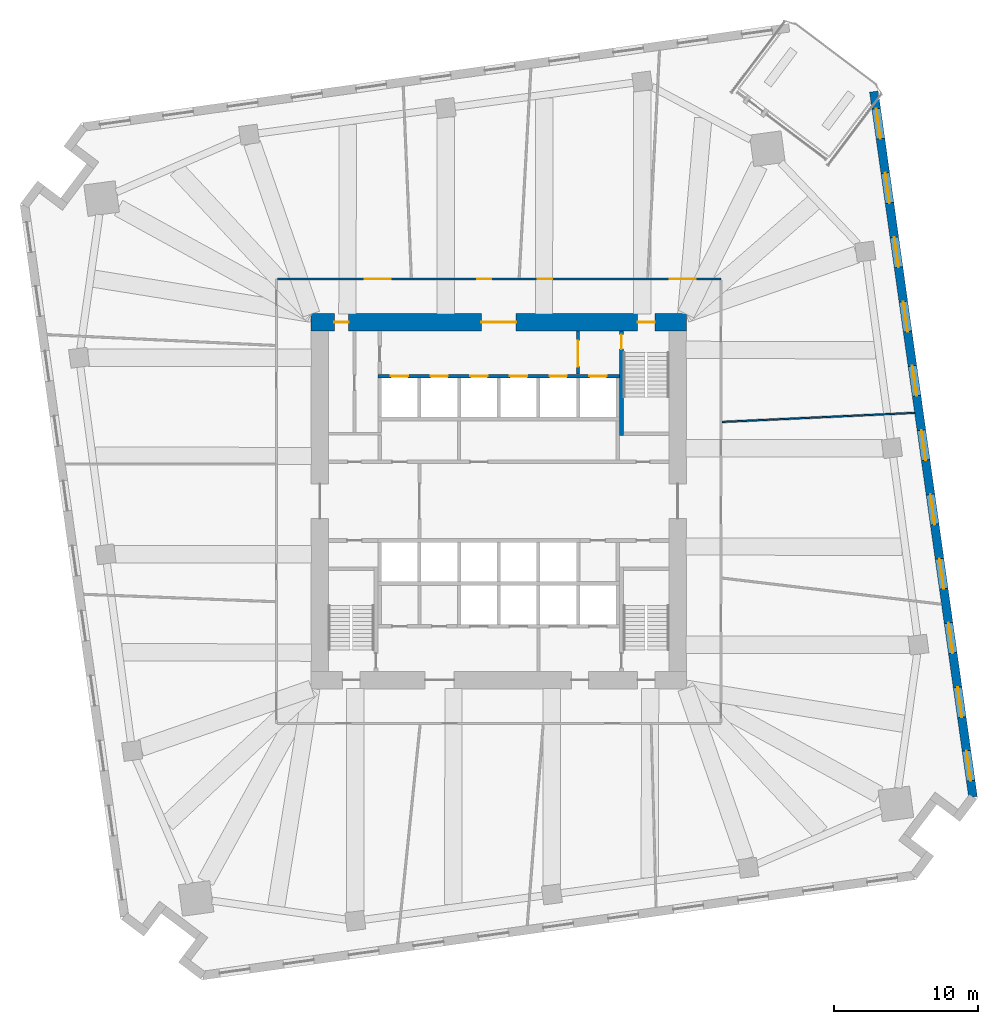
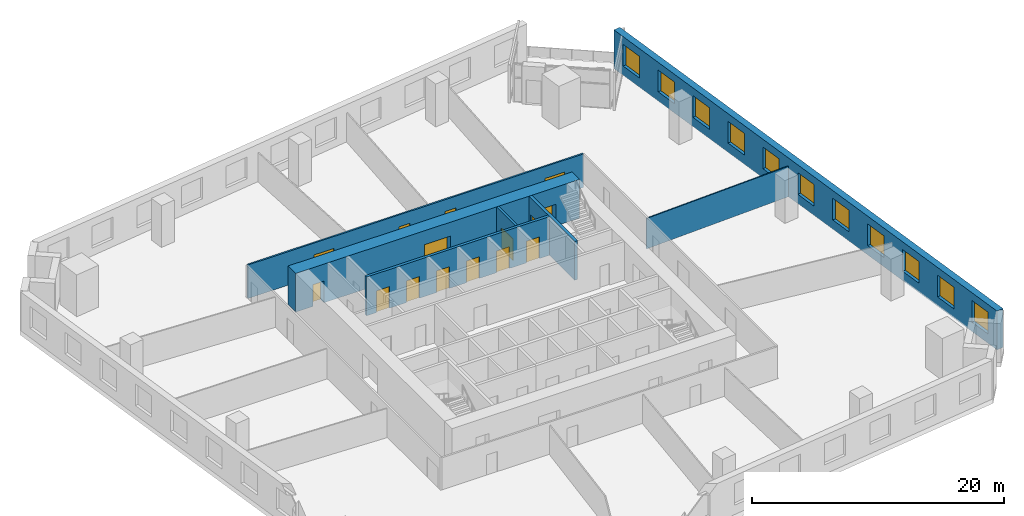
# One storey, part 9 of 12: 15 doors, 11 windows, 7 walls, 26 openings.
"""IFC4 building model written with IfcOpenShell, lengths in metres."""

from ifc_helpers import new_model, si_unit, direction, frame, frame_2d, origin, place, context, subcontext, project, spatial, rectangle, extrude, material, layer, layer_set, type_object, element, fill, save


model = new_model("IFC4")

# Units and contexts
model_context = context("Model", 3, precision=1e-05, world=origin(), true_north=direction((0.0, 1.0)))
body_context = subcontext(model_context, "Body", "Model", "MODEL_VIEW")
ifc_project = project(units=[si_unit("LENGTHUNIT", "METRE"), si_unit("AREAUNIT", "SQUARE_METRE"), si_unit("VOLUMEUNIT", "CUBIC_METRE"), si_unit("PLANEANGLEUNIT", "RADIAN"), si_unit("MASSUNIT", "GRAM", prefix="KILO")], contexts=[model_context])

# Site, building, storey
site_placement = place(None, origin())
site = spatial("IfcSite", under=ifc_project, at=site_placement, CompositionType="ELEMENT")
building_placement = place(site_placement, origin())
building = spatial("IfcBuilding", under=site, at=building_placement, Name="Dilmun Exchange Tower", CompositionType="ELEMENT")
storey_placement = place(building_placement, frame((0.0, 0.0, 51.300048828125)))
storey = spatial("IfcBuildingStorey", under=building, at=storey_placement, Name="L11", CompositionType="ELEMENT", Elevation=51.300048828125)

# Wall, opening, door
ifc_material_1 = material(Name="Concrete C40/50", Category="concrete")
ifc_layer_1 = layer(ifc_material_1, 0.199951171875)
ifc_layer_set_1 = layer_set([ifc_layer_1], Name="Concrete C40/50")
wall_type_1 = type_object("IfcWallType", Name="Core partition wall 200", PredefinedType="PARTITIONING", material=ifc_layer_set_1)
wall_1_placement = place(storey_placement, frame((5.5, 8.804931640625, 0.0), z_axis=(0.0, 0.0, 1.0), x_axis=(0.0, 1.0, 0.0)))
wall_1 = element("IfcWall", 1, at=wall_1_placement, inside=storey, type_object=wall_type_1, Name="L11 core partition wall 17", PredefinedType="PARTITIONING", context=body_context, shape_type="SweptSolid", body=[
    extrude(rectangle(XDim=2.989990234375, YDim=0.199951171875, at=frame_2d((1.4951171875, 0.0))), origin(), (0.0, 0.0, 1.0), 3.75),
])
opening_1_placement = place(wall_1_placement, frame((0.532470703125, 0.0, 0.0)))
opening_1 = element("IfcOpeningElement", 2, at=opening_1_placement, cuts=wall_1, Name="Opening CD5", PredefinedType="OPENING", context=body_context, shape_type="SweptSolid", body=[
    extrude(rectangle(XDim=1.800048828125, YDim=2.10009765625, at=frame_2d((0.89990234375, 1.050048828125))), frame((0.0, 0.10986328125, 0.0), z_axis=(0.0, -1.0, 0.0), x_axis=(1.0, 0.0, 0.0)), (0.0, 0.0, 1.0), 0.219970703125),
])
ifc_material_2 = material(Name="Fire-rated steel door set", Category="steel")
door_type_1 = type_object("IfcDoorType", Name="Stair exit door 1800x2100", OperationType="SINGLE_SWING_LEFT", PredefinedType="DOOR", material=ifc_material_2)
door_1_placement = place(opening_1_placement, origin())
door_1 = element("IfcDoor", 3, at=door_1_placement, inside=storey, type_object=door_type_1, Name="L11 door Lift lobby east", OperationType="SINGLE_SWING_LEFT", OverallHeight=2.10009765625, OverallWidth=1.800048828125, PredefinedType="DOOR", context=body_context, shape_type="SweptSolid", body=[
    extrude(rectangle(XDim=1.800048828125, YDim=2.10009765625, at=frame_2d((0.89990234375, 1.050048828125))), frame((0.0, 0.02490234375, 0.0), z_axis=(0.0, -1.0, 0.0), x_axis=(1.0, 0.0, 0.0)), (0.0, 0.0, 1.0), 0.050048828125),
])
fill(opening_1, door_1)

# Wall, openings, doors
ifc_material_3 = material(Name="Concrete C80/95", Category="concrete")
ifc_layer_2 = layer(ifc_material_3, 1.199951171875)
ifc_layer_set_2 = layer_set([ifc_layer_2], Name="Concrete C80/95")
wall_type_2 = type_object("IfcWallType", Name="Core shear wall 1200 Concrete C80/95", PredefinedType="SHEAR", material=ifc_layer_set_2)
wall_2_placement = place(storey_placement, frame((-13.0, 12.39990234375, 0.0), z_axis=(0.0, 0.0, 1.0), x_axis=(1.0, 0.0, 0.0)))
wall_2 = element("IfcWall", 4, at=wall_2_placement, inside=storey, type_object=wall_type_2, Name="L11 core shear wall N", PredefinedType="SHEAR", context=body_context, shape_type="SweptSolid", body=[
    extrude(rectangle(XDim=26.0, YDim=1.199951171875, at=frame_2d((13.0, 0.0))), origin(), (0.0, 0.0, 1.0), 3.75),
])
opening_2_placement = place(wall_2_placement, frame((11.800048828125, 0.0, 0.0)))
opening_2 = element("IfcOpeningElement", 5, at=opening_2_placement, cuts=wall_2, Name="Opening CD1", PredefinedType="OPENING", context=body_context, shape_type="SweptSolid", body=[
    extrude(rectangle(XDim=2.39990234375, YDim=2.39990234375, at=frame_2d((1.199951171875, 1.199951171875))), frame((0.0, 0.60986328125, 0.0), z_axis=(0.0, -1.0, 0.0), x_axis=(1.0, 0.0, 0.0)), (0.0, 0.0, 1.0), 1.219970703125),
])
opening_3_placement = place(wall_2_placement, frame((22.625, 0.0, 0.0)))
opening_3 = element("IfcOpeningElement", 6, at=opening_3_placement, cuts=wall_2, Name="Opening CD3", PredefinedType="OPENING", context=body_context, shape_type="SweptSolid", body=[
    extrude(rectangle(XDim=1.199951171875, YDim=2.10009765625, at=frame_2d((0.60009765625, 1.050048828125))), frame((0.0, 0.60986328125, 0.0), z_axis=(0.0, -1.0, 0.0), x_axis=(1.0, 0.0, 0.0)), (0.0, 0.0, 1.0), 1.219970703125),
])
opening_4_placement = place(wall_2_placement, frame((1.60009765625, 0.0, 0.0)))
opening_4 = element("IfcOpeningElement", 7, at=opening_4_placement, cuts=wall_2, Name="Opening CD4", PredefinedType="OPENING", context=body_context, shape_type="SweptSolid", body=[
    extrude(rectangle(XDim=1.0, YDim=2.10009765625, at=frame_2d((0.5, 1.050048828125))), frame((0.0, 0.60986328125, 0.0), z_axis=(0.0, -1.0, 0.0), x_axis=(1.0, 0.0, 0.0)), (0.0, 0.0, 1.0), 1.219970703125),
])
door_type_2 = type_object("IfcDoorType", Name="Core lobby door 2400x2400", OperationType="DOUBLE_DOOR_DOUBLE_SWING", PredefinedType="DOOR", material=ifc_material_2)
door_2_placement = place(opening_2_placement, origin())
door_2 = element("IfcDoor", 8, at=door_2_placement, inside=storey, type_object=door_type_2, Name="L11 door North lift lobby", OperationType="SINGLE_SWING_LEFT", OverallHeight=2.39990234375, OverallWidth=2.39990234375, PredefinedType="DOOR", context=body_context, shape_type="SweptSolid", body=[
    extrude(rectangle(XDim=2.39990234375, YDim=2.39990234375, at=frame_2d((1.199951171875, 1.199951171875))), frame((0.0, 0.02490234375, 0.0), z_axis=(0.0, -1.0, 0.0), x_axis=(1.0, 0.0, 0.0)), (0.0, 0.0, 1.0), 0.050048828125),
])
fill(opening_2, door_2)
door_type_3 = type_object("IfcDoorType", Name="Core room door 1000x2100", OperationType="SINGLE_SWING_LEFT", PredefinedType="DOOR", material=ifc_material_2)
door_3_placement = place(opening_4_placement, origin())
door_3 = element("IfcDoor", 9, at=door_3_placement, inside=storey, type_object=door_type_3, Name="L11 door North-west core rooms", OperationType="SINGLE_SWING_LEFT", OverallHeight=2.10009765625, OverallWidth=1.0, PredefinedType="DOOR", context=body_context, shape_type="SweptSolid", body=[
    extrude(rectangle(XDim=1.0, YDim=2.10009765625, at=frame_2d((0.5, 1.050048828125))), frame((0.0, 0.02490234375, 0.0), z_axis=(0.0, -1.0, 0.0), x_axis=(1.0, 0.0, 0.0)), (0.0, 0.0, 1.0), 0.050048828125),
])
fill(opening_4, door_3)
door_type_4 = type_object("IfcDoorType", Name="Stair exit door 1200x2100", OperationType="SINGLE_SWING_LEFT", PredefinedType="DOOR", material=ifc_material_2)
door_4_placement = place(opening_3_placement, origin())
door_4 = element("IfcDoor", 10, at=door_4_placement, inside=storey, type_object=door_type_4, Name="L11 door Stair ST1", OperationType="SINGLE_SWING_LEFT", OverallHeight=2.10009765625, OverallWidth=1.199951171875, PredefinedType="DOOR", context=body_context, shape_type="SweptSolid", body=[
    extrude(rectangle(XDim=1.199951171875, YDim=2.10009765625, at=frame_2d((0.60009765625, 1.050048828125))), frame((0.0, 0.02490234375, 0.0), z_axis=(0.0, -1.0, 0.0), x_axis=(1.0, 0.0, 0.0)), (0.0, 0.0, 1.0), 0.050048828125),
])
fill(opening_3, door_4)

ifc_material_4 = material(Name="Corridor wall 150")
ifc_layer_3 = layer(ifc_material_4, 0.14990234375)
ifc_layer_set_3 = layer_set([ifc_layer_3], Name="Corridor wall 150")
wall_type_3 = type_object("IfcWallType", Name="Corridor wall 150", PredefinedType="PARTITIONING", material=ifc_layer_set_3)
wall_3_placement = place(storey_placement, frame((-15.324951171875, 15.39990234375, 0.0), z_axis=(0.0, 0.0, 1.0), x_axis=(1.0, 0.0, 0.0)))
wall_3 = element("IfcWall", 11, at=wall_3_placement, inside=storey, type_object=wall_type_3, Name="Corridor wall", PredefinedType="PARTITIONING", context=body_context, shape_type="SweptSolid", body=[
    extrude(rectangle(XDim=30.724853515625, YDim=0.14990234375, at=frame_2d((15.3623046875, 0.0))), origin(), (0.0, 0.0, 1.0), 3.25),
])
opening_5_placement = place(wall_3_placement, frame((6.050048828125, 0.0, 0.0)))
opening_5 = element("IfcOpeningElement", 12, at=opening_5_placement, cuts=wall_3, Name="Opening TF11-D03", PredefinedType="OPENING", context=body_context, shape_type="SweptSolid", body=[
    extrude(rectangle(XDim=1.800048828125, YDim=2.10009765625, at=frame_2d((0.89990234375, 1.050048828125))), frame((0.0, 0.0849609375, 0.0), z_axis=(0.0, -1.0, 0.0), x_axis=(1.0, 0.0, 0.0)), (0.0, 0.0, 1.0), 0.169921875),
])
opening_6_placement = place(wall_3_placement, frame((13.81640625, 0.0, 0.0)))
opening_6 = element("IfcOpeningElement", 13, at=opening_6_placement, cuts=wall_3, Name="Opening TF11-D07", PredefinedType="OPENING", context=body_context, shape_type="SweptSolid", body=[
    extrude(rectangle(XDim=1.0, YDim=2.10009765625, at=frame_2d((0.5, 1.050048828125))), frame((0.0, 0.0849609375, 0.0), z_axis=(0.0, -1.0, 0.0), x_axis=(1.0, 0.0, 0.0)), (0.0, 0.0, 1.0), 0.169921875),
])
opening_7_placement = place(wall_3_placement, frame((18.0341796875, 0.0, 0.0)))
opening_7 = element("IfcOpeningElement", 14, at=opening_7_placement, cuts=wall_3, Name="Opening TF11-D09", PredefinedType="OPENING", context=body_context, shape_type="SweptSolid", body=[
    extrude(rectangle(XDim=1.0, YDim=2.10009765625, at=frame_2d((0.5, 1.050048828125))), frame((0.0, 0.0849609375, 0.0), z_axis=(0.0, -1.0, 0.0), x_axis=(1.0, 0.0, 0.0)), (0.0, 0.0, 1.0), 0.169921875),
])
opening_8_placement = place(wall_3_placement, frame((27.192626953125, 0.0, 0.0)))
opening_8 = element("IfcOpeningElement", 15, at=opening_8_placement, cuts=wall_3, Name="Opening TF11-D11", PredefinedType="OPENING", context=body_context, shape_type="SweptSolid", body=[
    extrude(rectangle(XDim=1.800048828125, YDim=2.10009765625, at=frame_2d((0.89990234375, 1.050048828125))), frame((0.0, 0.0849609375, 0.0), z_axis=(0.0, -1.0, 0.0), x_axis=(1.0, 0.0, 0.0)), (0.0, 0.0, 1.0), 0.169921875),
])
ifc_material_5 = material(Name="Fire door 1000 x 2100")
door_type_5 = type_object("IfcDoorType", Name="Fire door 1000 x 2100", OperationType="NOTDEFINED", PredefinedType="DOOR", material=ifc_material_5)
door_5_placement = place(opening_6_placement, origin())
door_5 = element("IfcDoor", 16, at=door_5_placement, inside=storey, type_object=door_type_5, Name="Door TF11-D07", OperationType="SINGLE_SWING_RIGHT", OverallHeight=2.10009765625, OverallWidth=1.0, PredefinedType="DOOR", context=body_context, shape_type="SweptSolid", body=[
    extrude(rectangle(XDim=1.0, YDim=2.10009765625, at=frame_2d((0.5, 1.050048828125))), frame((0.0, 0.02490234375, 0.0), z_axis=(0.0, -1.0, 0.0), x_axis=(1.0, 0.0, 0.0)), (0.0, 0.0, 1.0), 0.050048828125),
])
fill(opening_6, door_5)
door_6_placement = place(opening_7_placement, origin())
door_6 = element("IfcDoor", 17, at=door_6_placement, inside=storey, type_object=door_type_5, Name="Door TF11-D09", OperationType="SINGLE_SWING_LEFT", OverallHeight=2.10009765625, OverallWidth=1.0, PredefinedType="DOOR", context=body_context, shape_type="SweptSolid", body=[
    extrude(rectangle(XDim=1.0, YDim=2.10009765625, at=frame_2d((0.5, 1.050048828125))), frame((0.0, 0.02490234375, 0.0), z_axis=(0.0, -1.0, 0.0), x_axis=(1.0, 0.0, 0.0)), (0.0, 0.0, 1.0), 0.050048828125),
])
fill(opening_7, door_6)
ifc_material_6 = material(Name="Fire door pair 1800 x 2100")
door_type_6 = type_object("IfcDoorType", Name="Fire door pair 1800 x 2100", OperationType="NOTDEFINED", PredefinedType="DOOR", material=ifc_material_6)
door_7_placement = place(opening_5_placement, origin())
door_7 = element("IfcDoor", 18, at=door_7_placement, inside=storey, type_object=door_type_6, Name="Door TF11-D03", OperationType="DOUBLE_DOOR_SINGLE_SWING", OverallHeight=2.10009765625, OverallWidth=1.800048828125, PredefinedType="DOOR", context=body_context, shape_type="SweptSolid", body=[
    extrude(rectangle(XDim=1.800048828125, YDim=2.10009765625, at=frame_2d((0.89990234375, 1.050048828125))), frame((0.0, 0.02490234375, 0.0), z_axis=(0.0, -1.0, 0.0), x_axis=(1.0, 0.0, 0.0)), (0.0, 0.0, 1.0), 0.050048828125),
])
fill(opening_5, door_7)
door_8_placement = place(opening_8_placement, origin())
door_8 = element("IfcDoor", 19, at=door_8_placement, inside=storey, type_object=door_type_6, Name="Door TF11-D11", OperationType="DOUBLE_DOOR_SINGLE_SWING", OverallHeight=2.10009765625, OverallWidth=1.800048828125, PredefinedType="DOOR", context=body_context, shape_type="SweptSolid", body=[
    extrude(rectangle(XDim=1.800048828125, YDim=2.10009765625, at=frame_2d((0.89990234375, 1.050048828125))), frame((0.0, 0.02490234375, 0.0), z_axis=(0.0, -1.0, 0.0), x_axis=(1.0, 0.0, 0.0)), (0.0, 0.0, 1.0), 0.050048828125),
])
fill(opening_8, door_8)

ifc_layer_4 = layer(ifc_material_1, 0.25)
ifc_layer_set_4 = layer_set([ifc_layer_4], Name="Concrete C40/50")
wall_type_4 = type_object("IfcWallType", Name="Lift shaft wall 250", PredefinedType="SOLIDWALL", material=ifc_layer_set_4)
wall_4_placement = place(storey_placement, frame((-8.375, 8.675048828125, 0.0), z_axis=(0.0, 0.0, 1.0), x_axis=(1.0, 0.0, 0.0)))
wall_4 = element("IfcWall", 20, at=wall_4_placement, inside=storey, type_object=wall_type_4, Name="L11 lift shaft front wall N2", PredefinedType="SOLIDWALL", context=body_context, shape_type="SweptSolid", body=[
    extrude(rectangle(XDim=16.75, YDim=0.25, at=frame_2d((8.375, 0.0))), origin(), (0.0, 0.0, 1.0), 3.75),
])
opening_9_placement = place(wall_4_placement, frame((0.89990234375, 0.0, 0.0)))
opening_9 = element("IfcOpeningElement", 21, at=opening_9_placement, cuts=wall_4, Name="Opening LD", PredefinedType="OPENING", context=body_context, shape_type="SweptSolid", body=[
    extrude(rectangle(XDim=1.199951171875, YDim=2.10009765625, at=frame_2d((0.60009765625, 1.050048828125))), frame((0.0, 0.135009765625, 0.0), z_axis=(0.0, -1.0, 0.0), x_axis=(1.0, 0.0, 0.0)), (0.0, 0.0, 1.0), 0.27001953125),
])
opening_10_placement = place(wall_4_placement, frame((3.64990234375, 0.0, 0.0)))
opening_10 = element("IfcOpeningElement", 22, at=opening_10_placement, cuts=wall_4, Name="Opening LD", PredefinedType="OPENING", context=body_context, shape_type="SweptSolid", body=[
    extrude(rectangle(XDim=1.199951171875, YDim=2.10009765625, at=frame_2d((0.60009765625, 1.050048828125))), frame((0.0, 0.135009765625, 0.0), z_axis=(0.0, -1.0, 0.0), x_axis=(1.0, 0.0, 0.0)), (0.0, 0.0, 1.0), 0.27001953125),
])
opening_11_placement = place(wall_4_placement, frame((6.39990234375, 0.0, 0.0)))
opening_11 = element("IfcOpeningElement", 23, at=opening_11_placement, cuts=wall_4, Name="Opening LD", PredefinedType="OPENING", context=body_context, shape_type="SweptSolid", body=[
    extrude(rectangle(XDim=1.199951171875, YDim=2.10009765625, at=frame_2d((0.60009765625, 1.050048828125))), frame((0.0, 0.135009765625, 0.0), z_axis=(0.0, -1.0, 0.0), x_axis=(1.0, 0.0, 0.0)), (0.0, 0.0, 1.0), 0.27001953125),
])
opening_12_placement = place(wall_4_placement, frame((9.14990234375, 0.0, 0.0)))
opening_12 = element("IfcOpeningElement", 24, at=opening_12_placement, cuts=wall_4, Name="Opening LD", PredefinedType="OPENING", context=body_context, shape_type="SweptSolid", body=[
    extrude(rectangle(XDim=1.199951171875, YDim=2.10009765625, at=frame_2d((0.60009765625, 1.050048828125))), frame((0.0, 0.135009765625, 0.0), z_axis=(0.0, -1.0, 0.0), x_axis=(1.0, 0.0, 0.0)), (0.0, 0.0, 1.0), 0.27001953125),
])
opening_13_placement = place(wall_4_placement, frame((11.89990234375, 0.0, 0.0)))
opening_13 = element("IfcOpeningElement", 25, at=opening_13_placement, cuts=wall_4, Name="Opening LD", PredefinedType="OPENING", context=body_context, shape_type="SweptSolid", body=[
    extrude(rectangle(XDim=1.199951171875, YDim=2.10009765625, at=frame_2d((0.60009765625, 1.050048828125))), frame((0.0, 0.135009765625, 0.0), z_axis=(0.0, -1.0, 0.0), x_axis=(1.0, 0.0, 0.0)), (0.0, 0.0, 1.0), 0.27001953125),
])
opening_14_placement = place(wall_4_placement, frame((14.64990234375, 0.0, 0.0)))
opening_14 = element("IfcOpeningElement", 26, at=opening_14_placement, cuts=wall_4, Name="Opening LD", PredefinedType="OPENING", context=body_context, shape_type="SweptSolid", body=[
    extrude(rectangle(XDim=1.199951171875, YDim=2.10009765625, at=frame_2d((0.60009765625, 1.050048828125))), frame((0.0, 0.135009765625, 0.0), z_axis=(0.0, -1.0, 0.0), x_axis=(1.0, 0.0, 0.0)), (0.0, 0.0, 1.0), 0.27001953125),
])
door_type_7 = type_object("IfcDoorType", Name="Lift landing door 1200x2100", OperationType="DOUBLE_DOOR_SLIDING", PredefinedType="DOOR", material=ifc_material_2)
door_9_placement = place(opening_9_placement, origin())
door_9 = element("IfcDoor", 27, at=door_9_placement, inside=storey, type_object=door_type_7, Name="L11 landing door LR1", OperationType="DOUBLE_DOOR_SLIDING", OverallHeight=2.10009765625, OverallWidth=1.199951171875, PredefinedType="DOOR", context=body_context, shape_type="SweptSolid", body=[
    extrude(rectangle(XDim=1.199951171875, YDim=2.10009765625, at=frame_2d((0.60009765625, 1.050048828125))), frame((0.0, 0.02490234375, 0.0), z_axis=(0.0, -1.0, 0.0), x_axis=(1.0, 0.0, 0.0)), (0.0, 0.0, 1.0), 0.050048828125),
])
fill(opening_9, door_9)
door_10_placement = place(opening_10_placement, origin())
door_10 = element("IfcDoor", 28, at=door_10_placement, inside=storey, type_object=door_type_7, Name="L11 landing door LR2", OperationType="DOUBLE_DOOR_SLIDING", OverallHeight=2.10009765625, OverallWidth=1.199951171875, PredefinedType="DOOR", context=body_context, shape_type="SweptSolid", body=[
    extrude(rectangle(XDim=1.199951171875, YDim=2.10009765625, at=frame_2d((0.60009765625, 1.050048828125))), frame((0.0, 0.02490234375, 0.0), z_axis=(0.0, -1.0, 0.0), x_axis=(1.0, 0.0, 0.0)), (0.0, 0.0, 1.0), 0.050048828125),
])
fill(opening_10, door_10)
door_11_placement = place(opening_11_placement, origin())
door_11 = element("IfcDoor", 29, at=door_11_placement, inside=storey, type_object=door_type_7, Name="L11 landing door LR3", OperationType="DOUBLE_DOOR_SLIDING", OverallHeight=2.10009765625, OverallWidth=1.199951171875, PredefinedType="DOOR", context=body_context, shape_type="SweptSolid", body=[
    extrude(rectangle(XDim=1.199951171875, YDim=2.10009765625, at=frame_2d((0.60009765625, 1.050048828125))), frame((0.0, 0.02490234375, 0.0), z_axis=(0.0, -1.0, 0.0), x_axis=(1.0, 0.0, 0.0)), (0.0, 0.0, 1.0), 0.050048828125),
])
fill(opening_11, door_11)
door_12_placement = place(opening_12_placement, origin())
door_12 = element("IfcDoor", 30, at=door_12_placement, inside=storey, type_object=door_type_7, Name="L11 landing door LR4", OperationType="DOUBLE_DOOR_SLIDING", OverallHeight=2.10009765625, OverallWidth=1.199951171875, PredefinedType="DOOR", context=body_context, shape_type="SweptSolid", body=[
    extrude(rectangle(XDim=1.199951171875, YDim=2.10009765625, at=frame_2d((0.60009765625, 1.050048828125))), frame((0.0, 0.02490234375, 0.0), z_axis=(0.0, -1.0, 0.0), x_axis=(1.0, 0.0, 0.0)), (0.0, 0.0, 1.0), 0.050048828125),
])
fill(opening_12, door_12)
door_13_placement = place(opening_13_placement, origin())
door_13 = element("IfcDoor", 31, at=door_13_placement, inside=storey, type_object=door_type_7, Name="L11 landing door LR5", OperationType="DOUBLE_DOOR_SLIDING", OverallHeight=2.10009765625, OverallWidth=1.199951171875, PredefinedType="DOOR", context=body_context, shape_type="SweptSolid", body=[
    extrude(rectangle(XDim=1.199951171875, YDim=2.10009765625, at=frame_2d((0.60009765625, 1.050048828125))), frame((0.0, 0.02490234375, 0.0), z_axis=(0.0, -1.0, 0.0), x_axis=(1.0, 0.0, 0.0)), (0.0, 0.0, 1.0), 0.050048828125),
])
fill(opening_13, door_13)
door_14_placement = place(opening_14_placement, origin())
door_14 = element("IfcDoor", 32, at=door_14_placement, inside=storey, type_object=door_type_7, Name="L11 landing door LR6", OperationType="DOUBLE_DOOR_SLIDING", OverallHeight=2.10009765625, OverallWidth=1.199951171875, PredefinedType="DOOR", context=body_context, shape_type="SweptSolid", body=[
    extrude(rectangle(XDim=1.199951171875, YDim=2.10009765625, at=frame_2d((0.60009765625, 1.050048828125))), frame((0.0, 0.02490234375, 0.0), z_axis=(0.0, -1.0, 0.0), x_axis=(1.0, 0.0, 0.0)), (0.0, 0.0, 1.0), 0.050048828125),
])
fill(opening_14, door_14)

# Wall
ifc_material_7 = material(Name="Partition 100")
ifc_layer_5 = layer(ifc_material_7, 0.10009765625)
ifc_layer_set_5 = layer_set([ifc_layer_5], Name="Partition 100")
wall_type_5 = type_object("IfcWallType", Name="Partition 100", PredefinedType="PARTITIONING", material=ifc_layer_set_5)
wall_5_placement = place(storey_placement, frame((15.477294921875, 5.49658203125, 0.0), z_axis=(0.0, 0.0, 1.0), x_axis=(0.998885062174, 0.047208395074, 0.0)))
element("IfcWall", 33, at=wall_5_placement, inside=storey, type_object=wall_type_5, Name="Partition", PredefinedType="PARTITIONING", context=body_context, shape_type="SweptSolid", body=[
    extrude(rectangle(XDim=13.36328125, YDim=0.10009765625, at=frame_2d((6.681640625, 0.0))), origin(), (0.0, 0.0, 1.0), 2.949951171875),
])

# Wall, openings, windows
ifc_material_8 = material(Name="Precast concrete C50/60", Category="concrete")
ifc_layer_6 = layer(ifc_material_8, 0.60009765625)
ifc_layer_set_6 = layer_set([ifc_layer_6], Name="Precast concrete C50/60")
wall_type_6 = type_object("IfcWallType", Name="Precast stone-clad wall 600", PredefinedType="STANDARD", material=ifc_layer_set_6)
wall_6_placement = place(storey_placement, frame((32.873046875, -20.500244140625, 0.0), z_axis=(0.0, 0.0, 1.0), x_axis=(-0.139173994734, 0.990267943129, 0.0)))
wall_6 = element("IfcWall", 34, at=wall_6_placement, inside=storey, type_object=wall_type_6, Name="Facade wall L11-21", PredefinedType="STANDARD", context=body_context, shape_type="SweptSolid", body=[
    extrude(rectangle(XDim=49.375732421875, YDim=0.60009765625, at=frame_2d((24.68798828125, 0.0))), origin(), (0.0, 0.0, 1.0), 3.75),
])
opening_15_placement = place(wall_6_placement, frame((1.137939453125, 0.0, 0.89990234375)))
opening_15 = element("IfcOpeningElement", 35, at=opening_15_placement, cuts=wall_6, Name="Opening W210-210", PredefinedType="OPENING", context=body_context, shape_type="SweptSolid", body=[
    extrude(rectangle(XDim=2.10009765625, YDim=2.10009765625, at=frame_2d((1.050048828125, 1.050048828125))), frame((0.0, 0.31005859375, 0.0), z_axis=(0.0, -1.0, 0.0), x_axis=(1.0, 0.0, 0.0)), (0.0, 0.0, 1.0), 0.6201171875),
])
opening_16_placement = place(wall_6_placement, frame((5.57568359375, 0.0, 0.89990234375)))
opening_16 = element("IfcOpeningElement", 36, at=opening_16_placement, cuts=wall_6, Name="Opening W210-210", PredefinedType="OPENING", context=body_context, shape_type="SweptSolid", body=[
    extrude(rectangle(XDim=2.10009765625, YDim=2.10009765625, at=frame_2d((1.050048828125, 1.050048828125))), frame((0.0, 0.31005859375, 0.0), z_axis=(0.0, -1.0, 0.0), x_axis=(1.0, 0.0, 0.0)), (0.0, 0.0, 1.0), 0.6201171875),
])
opening_17_placement = place(wall_6_placement, frame((10.07568359375, 0.0, 0.89990234375)))
opening_17 = element("IfcOpeningElement", 37, at=opening_17_placement, cuts=wall_6, Name="Opening W210-210", PredefinedType="OPENING", context=body_context, shape_type="SweptSolid", body=[
    extrude(rectangle(XDim=2.10009765625, YDim=2.10009765625, at=frame_2d((1.050048828125, 1.050048828125))), frame((0.0, 0.31005859375, 0.0), z_axis=(0.0, -1.0, 0.0), x_axis=(1.0, 0.0, 0.0)), (0.0, 0.0, 1.0), 0.6201171875),
])
opening_18_placement = place(wall_6_placement, frame((14.57568359375, 0.0, 0.89990234375)))
opening_18 = element("IfcOpeningElement", 38, at=opening_18_placement, cuts=wall_6, Name="Opening W210-210", PredefinedType="OPENING", context=body_context, shape_type="SweptSolid", body=[
    extrude(rectangle(XDim=2.10009765625, YDim=2.10009765625, at=frame_2d((1.050048828125, 1.050048828125))), frame((0.0, 0.31005859375, 0.0), z_axis=(0.0, -1.0, 0.0), x_axis=(1.0, 0.0, 0.0)), (0.0, 0.0, 1.0), 0.6201171875),
])
opening_19_placement = place(wall_6_placement, frame((19.07568359375, 0.0, 0.89990234375)))
opening_19 = element("IfcOpeningElement", 39, at=opening_19_placement, cuts=wall_6, Name="Opening W210-210", PredefinedType="OPENING", context=body_context, shape_type="SweptSolid", body=[
    extrude(rectangle(XDim=2.10009765625, YDim=2.10009765625, at=frame_2d((1.050048828125, 1.050048828125))), frame((0.0, 0.31005859375, 0.0), z_axis=(0.0, -1.0, 0.0), x_axis=(1.0, 0.0, 0.0)), (0.0, 0.0, 1.0), 0.6201171875),
])
opening_20_placement = place(wall_6_placement, frame((23.57568359375, 0.0, 0.89990234375)))
opening_20 = element("IfcOpeningElement", 40, at=opening_20_placement, cuts=wall_6, Name="Opening W210-210", PredefinedType="OPENING", context=body_context, shape_type="SweptSolid", body=[
    extrude(rectangle(XDim=2.10009765625, YDim=2.10009765625, at=frame_2d((1.050048828125, 1.050048828125))), frame((0.0, 0.31005859375, 0.0), z_axis=(0.0, -1.0, 0.0), x_axis=(1.0, 0.0, 0.0)), (0.0, 0.0, 1.0), 0.6201171875),
])
opening_21_placement = place(wall_6_placement, frame((28.07568359375, 0.0, 0.89990234375)))
opening_21 = element("IfcOpeningElement", 41, at=opening_21_placement, cuts=wall_6, Name="Opening W210-210", PredefinedType="OPENING", context=body_context, shape_type="SweptSolid", body=[
    extrude(rectangle(XDim=2.10009765625, YDim=2.10009765625, at=frame_2d((1.050048828125, 1.050048828125))), frame((0.0, 0.31005859375, 0.0), z_axis=(0.0, -1.0, 0.0), x_axis=(1.0, 0.0, 0.0)), (0.0, 0.0, 1.0), 0.6201171875),
])
opening_22_placement = place(wall_6_placement, frame((32.57568359375, 0.0, 0.89990234375)))
opening_22 = element("IfcOpeningElement", 42, at=opening_22_placement, cuts=wall_6, Name="Opening W210-210", PredefinedType="OPENING", context=body_context, shape_type="SweptSolid", body=[
    extrude(rectangle(XDim=2.10009765625, YDim=2.10009765625, at=frame_2d((1.050048828125, 1.050048828125))), frame((0.0, 0.31005859375, 0.0), z_axis=(0.0, -1.0, 0.0), x_axis=(1.0, 0.0, 0.0)), (0.0, 0.0, 1.0), 0.6201171875),
])
opening_23_placement = place(wall_6_placement, frame((37.07568359375, 0.0, 0.89990234375)))
opening_23 = element("IfcOpeningElement", 43, at=opening_23_placement, cuts=wall_6, Name="Opening W210-210", PredefinedType="OPENING", context=body_context, shape_type="SweptSolid", body=[
    extrude(rectangle(XDim=2.10009765625, YDim=2.10009765625, at=frame_2d((1.050048828125, 1.050048828125))), frame((0.0, 0.31005859375, 0.0), z_axis=(0.0, -1.0, 0.0), x_axis=(1.0, 0.0, 0.0)), (0.0, 0.0, 1.0), 0.6201171875),
])
opening_24_placement = place(wall_6_placement, frame((41.57568359375, 0.0, 0.89990234375)))
opening_24 = element("IfcOpeningElement", 44, at=opening_24_placement, cuts=wall_6, Name="Opening W210-210", PredefinedType="OPENING", context=body_context, shape_type="SweptSolid", body=[
    extrude(rectangle(XDim=2.10009765625, YDim=2.10009765625, at=frame_2d((1.050048828125, 1.050048828125))), frame((0.0, 0.31005859375, 0.0), z_axis=(0.0, -1.0, 0.0), x_axis=(1.0, 0.0, 0.0)), (0.0, 0.0, 1.0), 0.6201171875),
])
opening_25_placement = place(wall_6_placement, frame((46.07568359375, 0.0, 0.89990234375)))
opening_25 = element("IfcOpeningElement", 45, at=opening_25_placement, cuts=wall_6, Name="Opening W210-210", PredefinedType="OPENING", context=body_context, shape_type="SweptSolid", body=[
    extrude(rectangle(XDim=2.10009765625, YDim=2.10009765625, at=frame_2d((1.050048828125, 1.050048828125))), frame((0.0, 0.31005859375, 0.0), z_axis=(0.0, -1.0, 0.0), x_axis=(1.0, 0.0, 0.0)), (0.0, 0.0, 1.0), 0.6201171875),
])
ifc_material_9 = material(Name="Clear low-emissivity glass in aluminium frame", Category="aluminium")
window_type = type_object("IfcWindowType", Name="Punched window 2100 x 2100", PartitioningType="DOUBLE_PANEL_VERTICAL", PredefinedType="WINDOW", material=ifc_material_9)
window_1_placement = place(opening_15_placement, origin())
window_1 = element("IfcWindow", 46, at=window_1_placement, inside=storey, type_object=window_type, Name="Window 22.1", OverallHeight=2.10009765625, OverallWidth=2.10009765625, PartitioningType="SINGLE_PANEL", PredefinedType="WINDOW", context=body_context, shape_type="SweptSolid", body=[
    extrude(rectangle(XDim=2.10009765625, YDim=2.10009765625, at=frame_2d((1.050048828125, 1.050048828125))), frame((0.0, 0.030029296875, 0.0), z_axis=(0.0, -1.0, 0.0), x_axis=(1.0, 0.0, 0.0)), (0.0, 0.0, 1.0), 0.06005859375),
])
fill(opening_15, window_1)
window_2_placement = place(opening_16_placement, origin())
window_2 = element("IfcWindow", 47, at=window_2_placement, inside=storey, type_object=window_type, Name="Window 22.2", OverallHeight=2.10009765625, OverallWidth=2.10009765625, PartitioningType="SINGLE_PANEL", PredefinedType="WINDOW", context=body_context, shape_type="SweptSolid", body=[
    extrude(rectangle(XDim=2.10009765625, YDim=2.10009765625, at=frame_2d((1.050048828125, 1.050048828125))), frame((0.0, 0.030029296875, 0.0), z_axis=(0.0, -1.0, 0.0), x_axis=(1.0, 0.0, 0.0)), (0.0, 0.0, 1.0), 0.06005859375),
])
fill(opening_16, window_2)
window_3_placement = place(opening_17_placement, origin())
window_3 = element("IfcWindow", 48, at=window_3_placement, inside=storey, type_object=window_type, Name="Window 22.3", OverallHeight=2.10009765625, OverallWidth=2.10009765625, PartitioningType="SINGLE_PANEL", PredefinedType="WINDOW", context=body_context, shape_type="SweptSolid", body=[
    extrude(rectangle(XDim=2.10009765625, YDim=2.10009765625, at=frame_2d((1.050048828125, 1.050048828125))), frame((0.0, 0.030029296875, 0.0), z_axis=(0.0, -1.0, 0.0), x_axis=(1.0, 0.0, 0.0)), (0.0, 0.0, 1.0), 0.06005859375),
])
fill(opening_17, window_3)
window_4_placement = place(opening_18_placement, origin())
window_4 = element("IfcWindow", 49, at=window_4_placement, inside=storey, type_object=window_type, Name="Window 22.4", OverallHeight=2.10009765625, OverallWidth=2.10009765625, PartitioningType="SINGLE_PANEL", PredefinedType="WINDOW", context=body_context, shape_type="SweptSolid", body=[
    extrude(rectangle(XDim=2.10009765625, YDim=2.10009765625, at=frame_2d((1.050048828125, 1.050048828125))), frame((0.0, 0.030029296875, 0.0), z_axis=(0.0, -1.0, 0.0), x_axis=(1.0, 0.0, 0.0)), (0.0, 0.0, 1.0), 0.06005859375),
])
fill(opening_18, window_4)
window_5_placement = place(opening_19_placement, origin())
window_5 = element("IfcWindow", 50, at=window_5_placement, inside=storey, type_object=window_type, Name="Window 22.5", OverallHeight=2.10009765625, OverallWidth=2.10009765625, PartitioningType="SINGLE_PANEL", PredefinedType="WINDOW", context=body_context, shape_type="SweptSolid", body=[
    extrude(rectangle(XDim=2.10009765625, YDim=2.10009765625, at=frame_2d((1.050048828125, 1.050048828125))), frame((0.0, 0.030029296875, 0.0), z_axis=(0.0, -1.0, 0.0), x_axis=(1.0, 0.0, 0.0)), (0.0, 0.0, 1.0), 0.06005859375),
])
fill(opening_19, window_5)
window_6_placement = place(opening_20_placement, origin())
window_6 = element("IfcWindow", 51, at=window_6_placement, inside=storey, type_object=window_type, Name="Window 22.6", OverallHeight=2.10009765625, OverallWidth=2.10009765625, PartitioningType="SINGLE_PANEL", PredefinedType="WINDOW", context=body_context, shape_type="SweptSolid", body=[
    extrude(rectangle(XDim=2.10009765625, YDim=2.10009765625, at=frame_2d((1.050048828125, 1.050048828125))), frame((0.0, 0.030029296875, 0.0), z_axis=(0.0, -1.0, 0.0), x_axis=(1.0, 0.0, 0.0)), (0.0, 0.0, 1.0), 0.06005859375),
])
fill(opening_20, window_6)
window_7_placement = place(opening_21_placement, origin())
window_7 = element("IfcWindow", 52, at=window_7_placement, inside=storey, type_object=window_type, Name="Window 22.7", OverallHeight=2.10009765625, OverallWidth=2.10009765625, PartitioningType="SINGLE_PANEL", PredefinedType="WINDOW", context=body_context, shape_type="SweptSolid", body=[
    extrude(rectangle(XDim=2.10009765625, YDim=2.10009765625, at=frame_2d((1.050048828125, 1.050048828125))), frame((0.0, 0.030029296875, 0.0), z_axis=(0.0, -1.0, 0.0), x_axis=(1.0, 0.0, 0.0)), (0.0, 0.0, 1.0), 0.06005859375),
])
fill(opening_21, window_7)
window_8_placement = place(opening_22_placement, origin())
window_8 = element("IfcWindow", 53, at=window_8_placement, inside=storey, type_object=window_type, Name="Window 22.8", OverallHeight=2.10009765625, OverallWidth=2.10009765625, PartitioningType="SINGLE_PANEL", PredefinedType="WINDOW", context=body_context, shape_type="SweptSolid", body=[
    extrude(rectangle(XDim=2.10009765625, YDim=2.10009765625, at=frame_2d((1.050048828125, 1.050048828125))), frame((0.0, 0.030029296875, 0.0), z_axis=(0.0, -1.0, 0.0), x_axis=(1.0, 0.0, 0.0)), (0.0, 0.0, 1.0), 0.06005859375),
])
fill(opening_22, window_8)
window_9_placement = place(opening_23_placement, origin())
window_9 = element("IfcWindow", 54, at=window_9_placement, inside=storey, type_object=window_type, Name="Window 22.9", OverallHeight=2.10009765625, OverallWidth=2.10009765625, PartitioningType="SINGLE_PANEL", PredefinedType="WINDOW", context=body_context, shape_type="SweptSolid", body=[
    extrude(rectangle(XDim=2.10009765625, YDim=2.10009765625, at=frame_2d((1.050048828125, 1.050048828125))), frame((0.0, 0.030029296875, 0.0), z_axis=(0.0, -1.0, 0.0), x_axis=(1.0, 0.0, 0.0)), (0.0, 0.0, 1.0), 0.06005859375),
])
fill(opening_23, window_9)
window_10_placement = place(opening_24_placement, origin())
window_10 = element("IfcWindow", 55, at=window_10_placement, inside=storey, type_object=window_type, Name="Window 22.10", OverallHeight=2.10009765625, OverallWidth=2.10009765625, PartitioningType="SINGLE_PANEL", PredefinedType="WINDOW", context=body_context, shape_type="SweptSolid", body=[
    extrude(rectangle(XDim=2.10009765625, YDim=2.10009765625, at=frame_2d((1.050048828125, 1.050048828125))), frame((0.0, 0.030029296875, 0.0), z_axis=(0.0, -1.0, 0.0), x_axis=(1.0, 0.0, 0.0)), (0.0, 0.0, 1.0), 0.06005859375),
])
fill(opening_24, window_10)
window_11_placement = place(opening_25_placement, origin())
window_11 = element("IfcWindow", 56, at=window_11_placement, inside=storey, type_object=window_type, Name="Window 22.11", OverallHeight=2.10009765625, OverallWidth=2.10009765625, PartitioningType="SINGLE_PANEL", PredefinedType="WINDOW", context=body_context, shape_type="SweptSolid", body=[
    extrude(rectangle(XDim=2.10009765625, YDim=2.10009765625, at=frame_2d((1.050048828125, 1.050048828125))), frame((0.0, 0.030029296875, 0.0), z_axis=(0.0, -1.0, 0.0), x_axis=(1.0, 0.0, 0.0)), (0.0, 0.0, 1.0), 0.06005859375),
])
fill(opening_25, window_11)

# Wall, opening, door
ifc_layer_7 = layer(ifc_material_1, 0.27490234375)
ifc_layer_set_7 = layer_set([ifc_layer_7], Name="Concrete C40/50")
wall_type_7 = type_object("IfcWallType", Name="Stair wall 275", PredefinedType="SOLIDWALL", material=ifc_layer_set_7)
wall_7_placement = place(storey_placement, frame((8.512451171875, 4.550048828125, 0.0), z_axis=(0.0, 0.0, 1.0), x_axis=(0.0, 1.0, 0.0)))
wall_7 = element("IfcWall", 57, at=wall_7_placement, inside=storey, type_object=wall_type_7, Name="L11 ST1 wall to lift block", PredefinedType="SOLIDWALL", context=body_context, shape_type="SweptSolid", body=[
    extrude(rectangle(XDim=7.25, YDim=0.27490234375, at=frame_2d((3.625, 0.0))), origin(), (0.0, 0.0, 1.0), 3.75),
])
opening_26_placement = place(wall_7_placement, frame((6.0, 0.0, 0.0)))
opening_26 = element("IfcOpeningElement", 58, at=opening_26_placement, cuts=wall_7, Name="Opening CD4", PredefinedType="OPENING", context=body_context, shape_type="SweptSolid", body=[
    extrude(rectangle(XDim=1.0, YDim=2.10009765625, at=frame_2d((0.5, 1.050048828125))), frame((0.0, 0.1474609375, 0.0), z_axis=(0.0, -1.0, 0.0), x_axis=(1.0, 0.0, 0.0)), (0.0, 0.0, 1.0), 0.294921875),
])
door_15_placement = place(opening_26_placement, origin())
door_15 = element("IfcDoor", 59, at=door_15_placement, inside=storey, type_object=door_type_3, Name="L11 door ST1 from lobby", OperationType="SINGLE_SWING_LEFT", OverallHeight=2.10009765625, OverallWidth=1.0, PredefinedType="DOOR", context=body_context, shape_type="SweptSolid", body=[
    extrude(rectangle(XDim=1.0, YDim=2.10009765625, at=frame_2d((0.5, 1.050048828125))), frame((0.0, 0.02490234375, 0.0), z_axis=(0.0, -1.0, 0.0), x_axis=(1.0, 0.0, 0.0)), (0.0, 0.0, 1.0), 0.050048828125),
])
fill(opening_26, door_15)

save(model, "model.ifc")
